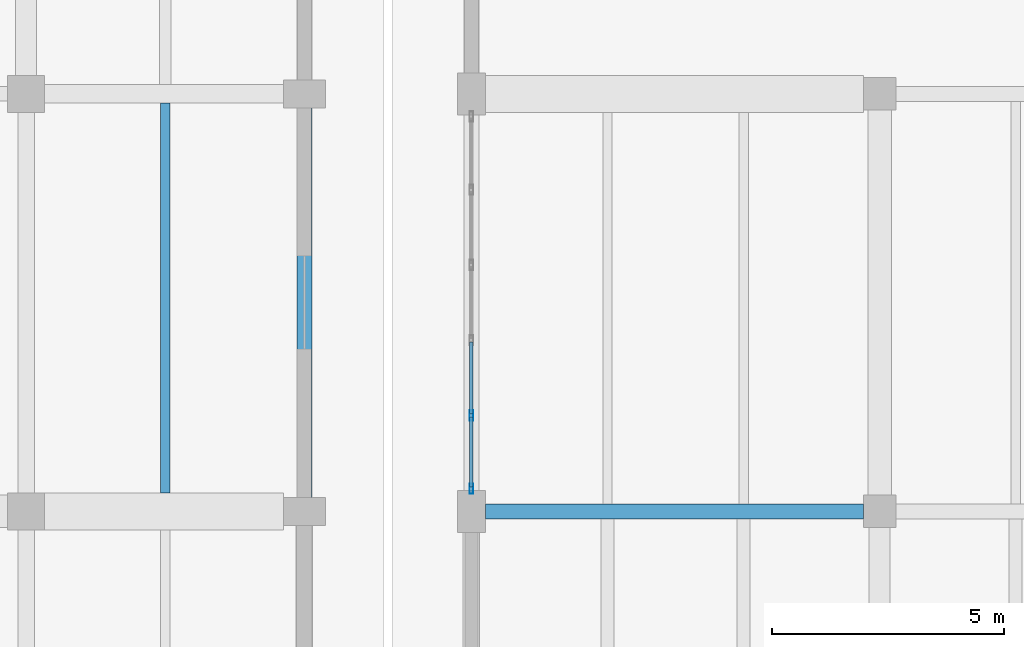
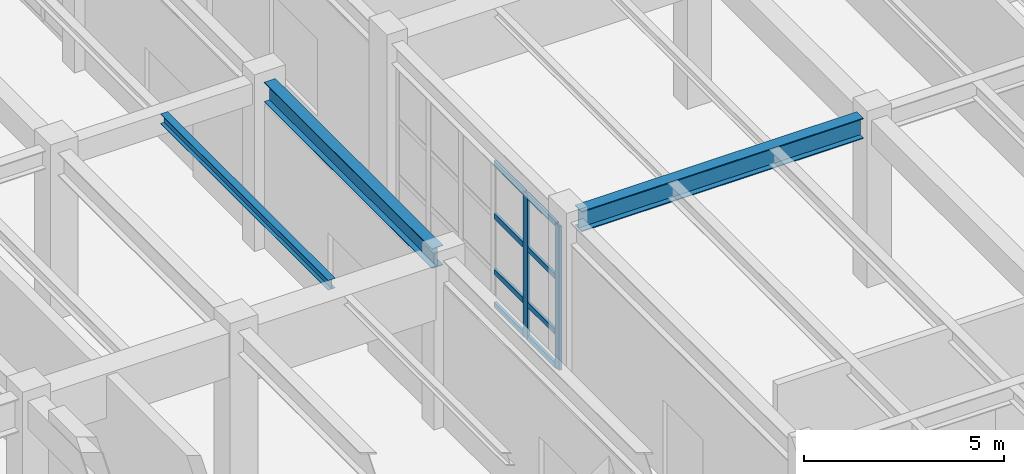
# One storey, part 27 of 91: 10 members, 3 beams, 1 element without a shape of its own.
"""IFC4 building model written with IfcOpenShell, lengths in metres."""

from ifc_helpers import new_model, si_unit, direction, frame, origin, origin_2d, place, context, subcontext, project, spatial, hollow_rectangle, i_section, extrude, material, layer, layer_set, material_profile, profile_set, type_object, element, aggregate, save


model = new_model("IFC4")

# Units and contexts
model_context = context("Model", 3, precision=1e-05, world=origin(), true_north=direction((0.0, 1.0)))
body_context = subcontext(model_context, "Body", "Model", "MODEL_VIEW")
ifc_project = project(units=[si_unit("LENGTHUNIT", "METRE"), si_unit("AREAUNIT", "SQUARE_METRE"), si_unit("VOLUMEUNIT", "CUBIC_METRE"), si_unit("PLANEANGLEUNIT", "RADIAN"), si_unit("MASSUNIT", "GRAM", prefix="KILO")], contexts=[model_context])

# Site, building, storey
site_placement = place(None, origin())
site = spatial("IfcSite", under=ifc_project, at=site_placement, CompositionType="ELEMENT")
building_placement = place(site_placement, origin())
building = spatial("IfcBuilding", under=site, at=building_placement, Name="Vaelkrest Opera House", CompositionType="ELEMENT")
storey_placement = place(building_placement, origin())
storey = spatial("IfcBuildingStorey", under=building, at=storey_placement, Name="L00", CompositionType="ELEMENT", Elevation=0.0)

# Beam
ifc_material_1 = material(Name="Steel A992 Gr50", Category="steel")
ifc_material_profile_1 = material_profile(ifc_material_1, i_section(OverallWidth=0.327880859375, OverallDepth=0.6279296875, WebThickness=0.0166015625, FlangeThickness=0.027587890625, at=origin_2d()), Name="W24X146")
ifc_profile_set_1 = profile_set([ifc_material_profile_1], Name="Steel A992 Gr50")
beam_type_1 = type_object("IfcBeamType", Name="B09", PredefinedType="BEAM", material=ifc_profile_set_1)
beam_1_placement = place(storey_placement, frame((33.89990234375, -7.800048828125, 4.76611328125), z_axis=(1.0, 0.0, 0.0), x_axis=(0.0, 1.0, 0.0)))
element("IfcBeam", 1, at=beam_1_placement, inside=storey, type_object=beam_type_1, Name="Beam BM-V4-L00-1962", PredefinedType="BEAM", context=body_context, shape_type="SweptSolid", body=[
    extrude(i_section(OverallWidth=0.327880859375, OverallDepth=0.6279296875, WebThickness=0.0166015625, FlangeThickness=0.027587890625, at=origin_2d()), origin(), (0.0, 0.0, 1.0), 8.150146484375),
])

# Curtain wall, members
ifc_material_2 = material(Name="Dark bronze anodized aluminium", Category="aluminium")
ifc_layer = layer(ifc_material_2, 0.199951171875)
ifc_layer_set = layer_set([ifc_layer], Name="Dark bronze anodized aluminium")
curtain_wall_type = type_object("IfcCurtainWallType", Name="CW03", PredefinedType="NOTDEFINED", material=ifc_layer_set)
curtain_wall_placement = place(storey_placement, origin())
curtain_wall = element("IfcCurtainWall", 2, at=curtain_wall_placement, inside=storey, type_object=curtain_wall_type, Name="Curtain wall CW-L00-149", PredefinedType="NOTDEFINED")
ifc_material_profile_2 = material_profile(ifc_material_2, hollow_rectangle(XDim=0.074951171875, YDim=0.219970703125, WallThickness=0.00439453125, at=origin_2d()), Name="CWM75X220")
ifc_profile_set_2 = profile_set([ifc_material_profile_2], Name="Dark bronze anodized aluminium")
member_type_1 = type_object("IfcMemberType", Name="CWM03", PredefinedType="MULLION", material=ifc_profile_set_2)
member_1_placement = place(storey_placement, frame((33.60009765625, -7.314453125, 0.0), z_axis=(0.0, 0.0, 1.0), x_axis=(-1.0, 0.0, 0.0)))
member_1 = element("IfcMember", 3, at=member_1_placement, type_object=member_type_1, Name="CW03 mullion 1", PredefinedType="MULLION", context=body_context, shape_type="SweptSolid", body=[
    extrude(hollow_rectangle(XDim=0.074951171875, YDim=0.219970703125, WallThickness=0.00439453125, at=origin_2d()), origin(), (0.0, 0.0, 1.0), 4.404052734375),
])
member_2_placement = place(storey_placement, frame((33.60009765625, -5.731201171875, 0.0), z_axis=(0.0, 0.0, 1.0), x_axis=(-1.0, 0.0, 0.0)))
member_2 = element("IfcMember", 4, at=member_2_placement, type_object=member_type_1, Name="CW03 mullion 2", PredefinedType="MULLION", context=body_context, shape_type="SweptSolid", body=[
    extrude(hollow_rectangle(XDim=0.074951171875, YDim=0.219970703125, WallThickness=0.00439453125, at=origin_2d()), origin(), (0.0, 0.0, 1.0), 4.404052734375),
])
ifc_material_profile_3 = material_profile(ifc_material_2, hollow_rectangle(XDim=0.074951171875, YDim=0.159912109375, WallThickness=0.00439453125, at=origin_2d()), Name="CWT75X160")
ifc_profile_set_3 = profile_set([ifc_material_profile_3], Name="Dark bronze anodized aluminium")
member_type_2 = type_object("IfcMemberType", Name="CWT03", PredefinedType="USERDEFINED", material=ifc_profile_set_3)
member_3_placement = place(storey_placement, frame((33.60009765625, -7.277099609375, 0.03759765625), z_axis=(0.0, 1.0, 0.0), x_axis=(-1.0, 0.0, 0.0)))
member_3 = element("IfcMember", 5, at=member_3_placement, type_object=member_type_2, Name="CW03 transom 1.1", ObjectType="TRANSOM", PredefinedType="USERDEFINED", context=body_context, shape_type="SweptSolid", body=[
    extrude(hollow_rectangle(XDim=0.074951171875, YDim=0.159912109375, WallThickness=0.00439453125, at=origin_2d()), origin(), (0.0, 0.0, 1.0), 1.50830078125),
])
member_4_placement = place(storey_placement, frame((33.60009765625, -7.277099609375, 1.050048828125), z_axis=(0.0, 1.0, 0.0), x_axis=(-1.0, 0.0, 0.0)))
member_4 = element("IfcMember", 6, at=member_4_placement, type_object=member_type_2, Name="CW03 transom 1.2", ObjectType="TRANSOM", PredefinedType="USERDEFINED", context=body_context, shape_type="SweptSolid", body=[
    extrude(hollow_rectangle(XDim=0.074951171875, YDim=0.159912109375, WallThickness=0.00439453125, at=origin_2d()), origin(), (0.0, 0.0, 1.0), 1.50830078125),
])
member_5_placement = place(storey_placement, frame((33.60009765625, -7.277099609375, 2.75), z_axis=(0.0, 1.0, 0.0), x_axis=(-1.0, 0.0, 0.0)))
member_5 = element("IfcMember", 7, at=member_5_placement, type_object=member_type_2, Name="CW03 transom 1.3", ObjectType="TRANSOM", PredefinedType="USERDEFINED", context=body_context, shape_type="SweptSolid", body=[
    extrude(hollow_rectangle(XDim=0.074951171875, YDim=0.159912109375, WallThickness=0.00439453125, at=origin_2d()), origin(), (0.0, 0.0, 1.0), 1.50830078125),
])
member_6_placement = place(storey_placement, frame((33.60009765625, -7.277099609375, 4.366455078125), z_axis=(0.0, 1.0, 0.0), x_axis=(-1.0, 0.0, 0.0)))
member_6 = element("IfcMember", 8, at=member_6_placement, type_object=member_type_2, Name="CW03 transom 1.4", ObjectType="TRANSOM", PredefinedType="USERDEFINED", context=body_context, shape_type="SweptSolid", body=[
    extrude(hollow_rectangle(XDim=0.074951171875, YDim=0.159912109375, WallThickness=0.00439453125, at=origin_2d()), origin(), (0.0, 0.0, 1.0), 1.50830078125),
])
member_7_placement = place(storey_placement, frame((33.60009765625, -5.693603515625, 0.03759765625), z_axis=(0.0, 1.0, 0.0), x_axis=(-1.0, 0.0, 0.0)))
member_7 = element("IfcMember", 9, at=member_7_placement, type_object=member_type_2, Name="CW03 transom 2.1", ObjectType="TRANSOM", PredefinedType="USERDEFINED", context=body_context, shape_type="SweptSolid", body=[
    extrude(hollow_rectangle(XDim=0.074951171875, YDim=0.159912109375, WallThickness=0.00439453125, at=origin_2d()), origin(), (0.0, 0.0, 1.0), 1.545654296875),
])
member_8_placement = place(storey_placement, frame((33.60009765625, -5.693603515625, 1.050048828125), z_axis=(0.0, 1.0, 0.0), x_axis=(-1.0, 0.0, 0.0)))
member_8 = element("IfcMember", 10, at=member_8_placement, type_object=member_type_2, Name="CW03 transom 2.2", ObjectType="TRANSOM", PredefinedType="USERDEFINED", context=body_context, shape_type="SweptSolid", body=[
    extrude(hollow_rectangle(XDim=0.074951171875, YDim=0.159912109375, WallThickness=0.00439453125, at=origin_2d()), origin(), (0.0, 0.0, 1.0), 1.545654296875),
])
member_9_placement = place(storey_placement, frame((33.60009765625, -5.693603515625, 2.75), z_axis=(0.0, 1.0, 0.0), x_axis=(-1.0, 0.0, 0.0)))
member_9 = element("IfcMember", 11, at=member_9_placement, type_object=member_type_2, Name="CW03 transom 2.3", ObjectType="TRANSOM", PredefinedType="USERDEFINED", context=body_context, shape_type="SweptSolid", body=[
    extrude(hollow_rectangle(XDim=0.074951171875, YDim=0.159912109375, WallThickness=0.00439453125, at=origin_2d()), origin(), (0.0, 0.0, 1.0), 1.545654296875),
])
member_10_placement = place(storey_placement, frame((33.60009765625, -5.693603515625, 4.366455078125), z_axis=(0.0, 1.0, 0.0), x_axis=(-1.0, 0.0, 0.0)))
member_10 = element("IfcMember", 12, at=member_10_placement, type_object=member_type_2, Name="CW03 transom 2.4", ObjectType="TRANSOM", PredefinedType="USERDEFINED", context=body_context, shape_type="SweptSolid", body=[
    extrude(hollow_rectangle(XDim=0.074951171875, YDim=0.159912109375, WallThickness=0.00439453125, at=origin_2d()), origin(), (0.0, 0.0, 1.0), 1.545654296875),
])
aggregate(curtain_wall, [member_1, member_2, member_3, member_4, member_5, member_6, member_7, member_8, member_9, member_10])

# Beams
ifc_material_profile_4 = material_profile(ifc_material_1, i_section(OverallWidth=0.202880859375, OverallDepth=0.302978515625, WebThickness=0.007568359375, FlangeThickness=0.01318359375, at=origin_2d()), Name="W12X40")
ifc_profile_set_4 = profile_set([ifc_material_profile_4], Name="Steel A992 Gr50")
beam_type_2 = type_object("IfcBeamType", Name="J02", PredefinedType="JOIST", material=ifc_profile_set_4)
beam_2_placement = place(storey_placement, frame((27.0, -7.39990234375, 4.928466796875), z_axis=(0.0, 1.0, 0.0), x_axis=(-1.0, 0.0, 0.0)))
element("IfcBeam", 13, at=beam_2_placement, inside=storey, type_object=beam_type_2, Name="Floor joist JST-V1-L00-0202", PredefinedType="JOIST", context=body_context, shape_type="SweptSolid", body=[
    extrude(i_section(OverallWidth=0.202880859375, OverallDepth=0.302978515625, WebThickness=0.007568359375, FlangeThickness=0.01318359375, at=origin_2d()), origin(), (0.0, 0.0, 1.0), 8.39990234375),
])
ifc_material_profile_5 = material_profile(ifc_material_1, i_section(OverallWidth=0.323974609375, OverallDepth=0.611083984375, WebThickness=0.0126953125, FlangeThickness=0.01904296875, at=origin_2d()), Name="W24X104")
ifc_profile_set_5 = profile_set([ifc_material_profile_5], Name="Steel A992 Gr50")
beam_type_3 = type_object("IfcBeamType", Name="SP01", PredefinedType="SPANDREL", material=ifc_profile_set_5)
beam_3_placement = place(storey_placement, frame((30.0, -7.5, 4.7744140625), z_axis=(0.0, 1.0, 0.0), x_axis=(-1.0, 0.0, 0.0)))
element("IfcBeam", 14, at=beam_3_placement, inside=storey, type_object=beam_type_3, Name="Beam BM-V1-L00-0186", PredefinedType="SPANDREL", context=body_context, shape_type="SweptSolid", body=[
    extrude(i_section(OverallWidth=0.323974609375, OverallDepth=0.611083984375, WebThickness=0.0126953125, FlangeThickness=0.01904296875, at=origin_2d()), origin(), (0.0, 0.0, 1.0), 8.39990234375),
])

save(model, "model.ifc")
